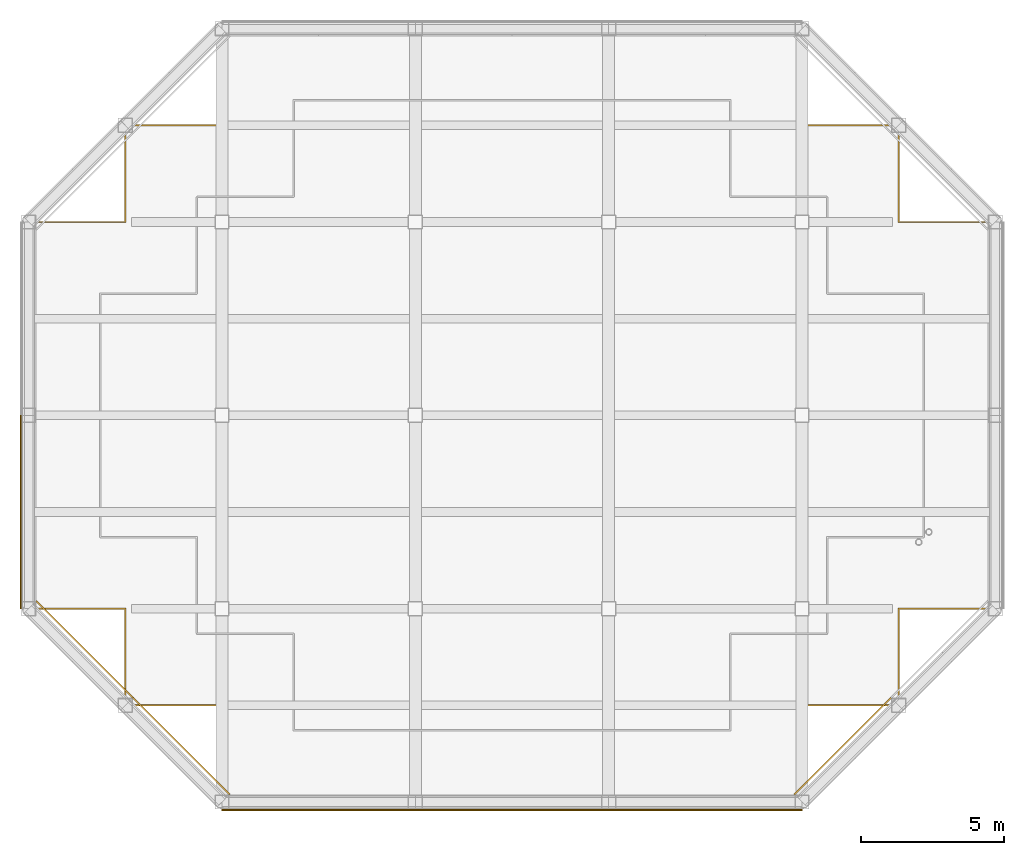
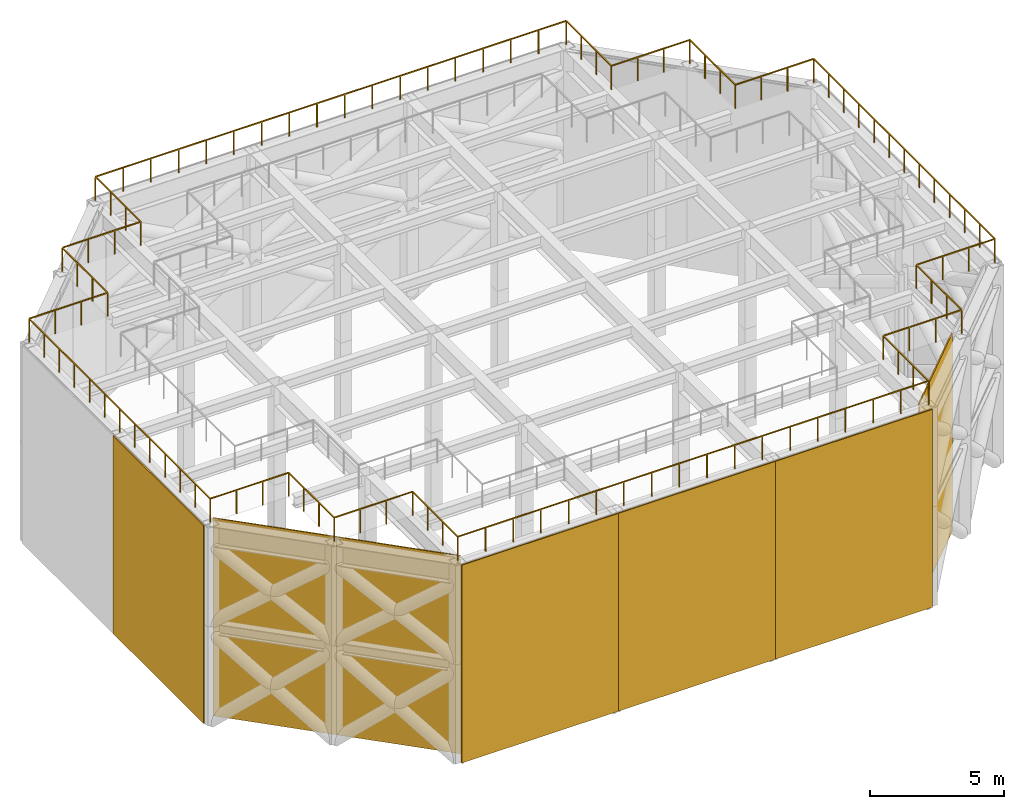
# One storey, part 4 of 5: 7 coverings, 1 railing.
"""IFC4 building model written with IfcOpenShell, lengths in metres."""

import ifcopenshell
import ifcopenshell.guid

model = None  # the IFC model being written
_history = None  # IfcOwnerHistory: only IFC2X3 demands one
_inside = {}  # id of a spatial element -> (the spatial element, [elements in it])
_under = {}  # id of a project, library or spatial element -> (it, [spatial elements below it])
_declared = {}  # id of a project -> (the project, [libraries it declares])
_typed = {}  # id of a type object -> (the type object, [elements of that type])
_made_of = {}  # id of a material, layer set ... -> (it, [elements and type objects made of it])


def new_model(schema):
    """Start an empty IFC model of exactly this schema.

    Asked for "IFC4X3", IfcOpenShell would pick the latest addendum, in which some entities
    have other attributes; the version numbers below select the first issue.
    IFC2X3 requires an IfcOwnerHistory on every rooted entity: one is made here for all.
    """
    global model, _history
    if schema == "IFC4X3":
        model = ifcopenshell.file(schema_version=(4, 3, 0, 0))
    else:
        model = ifcopenshell.file(schema=schema)
    _inside.clear()
    _under.clear()
    _declared.clear()
    _typed.clear()
    _made_of.clear()
    _history = None
    if model.schema == "IFC2X3":
        org = make("IfcOrganization", Name="unknown")
        user = make(
            "IfcPersonAndOrganization",
            ThePerson=make("IfcPerson", FamilyName="unknown"),
            TheOrganization=org,
        )
        app = make(
            "IfcApplication",
            ApplicationDeveloper=org,
            Version="unknown",
            ApplicationFullName="unknown",
            ApplicationIdentifier="unknown",
        )
        _history = make(
            "IfcOwnerHistory",
            OwningUser=user,
            OwningApplication=app,
            ChangeAction="ADDED",
            CreationDate=0,
        )
    return model


def make(cls, **values):
    """One entity of the class cls with the attributes given. An attribute that is None is left unset."""
    return model.create_entity(
        cls, **{name: value for name, value in values.items() if value is not None}
    )


def rooted(cls, **values):
    """An entity with a GlobalId (a new one), such as an element, a storey or a relation."""
    return make(cls, GlobalId=ifcopenshell.guid.new(), OwnerHistory=_history, **values)


def si_unit(unit_type, name, prefix=None):
    """IfcSIUnit, for example si_unit("LENGTHUNIT", "METRE", prefix="MILLI")."""
    return make("IfcSIUnit", UnitType=unit_type, Prefix=prefix, Name=name)


def assignment(units):
    """IfcUnitAssignment: the units of a project."""
    return None if units is None else make("IfcUnitAssignment", Units=units)


def point(xyz):
    """IfcCartesianPoint."""
    return None if xyz is None else make("IfcCartesianPoint", Coordinates=xyz)


def direction(xyz):
    """IfcDirection."""
    return None if xyz is None else make("IfcDirection", DirectionRatios=xyz)


def frame(location, z_axis=None, x_axis=None):
    """IfcAxis2Placement3D, a coordinate frame: its origin and axes. An axis left out is left unset."""
    return make(
        "IfcAxis2Placement3D",
        Location=point(location),
        Axis=direction(z_axis),
        RefDirection=direction(x_axis),
    )


def frame_2d(location, x_axis=None):
    """IfcAxis2Placement2D, a coordinate frame in the plane: its origin and x axis."""
    return make(
        "IfcAxis2Placement2D", Location=point(location), RefDirection=direction(x_axis)
    )


def origin():
    """The frame at (0, 0, 0) with its axes left unset."""
    return frame((0.0, 0.0, 0.0))


def origin_2d():
    """The frame at (0, 0) in the plane with its x axis left unset."""
    return frame_2d((0.0, 0.0))


def place(relative_to, where):
    """IfcLocalPlacement: puts the frame where relative to a parent placement (None: the world)."""
    return make(
        "IfcLocalPlacement", PlacementRelTo=relative_to, RelativePlacement=where
    )


def context(
    kind, dimensions, precision=None, world=None, true_north=None, identifier=None
):
    """IfcGeometricRepresentationContext, for example the 3D "Model" context."""
    return make(
        "IfcGeometricRepresentationContext",
        ContextIdentifier=identifier,
        ContextType=kind,
        CoordinateSpaceDimension=dimensions,
        Precision=precision,
        WorldCoordinateSystem=world,
        TrueNorth=true_north,
    )


def subcontext(parent, identifier, kind, view, scale=None):
    """IfcGeometricRepresentationSubContext, for example "Body" below "Model"."""
    return make(
        "IfcGeometricRepresentationSubContext",
        ContextIdentifier=identifier,
        ContextType=kind,
        ParentContext=parent,
        TargetScale=scale,
        TargetView=view,
    )


def project(units=None, contexts=None):
    """IfcProject with its units and contexts."""
    return rooted(
        "IfcProject",
        Name="project",
        RepresentationContexts=contexts,
        UnitsInContext=assignment(units),
    )


def spatial(cls, under=None, at=None, **own):
    """A site, building, storey or space (cls), placed at a placement, below another one or the project."""
    s = rooted(cls, ObjectPlacement=at, **own)
    if under is not None:
        _under.setdefault(under.id(), (under, []))[1].append(s)
    return s


def polyline(points):
    """IfcPolyline through the points."""
    return make("IfcPolyline", Points=[point(p) for p in points])


def profile(cls, at=None, kind="AREA", **sizes):
    """A parametric profile (cls). Its sizes go by their IFC names, for example OverallWidth=200.0."""
    return make(cls, ProfileType=kind, Position=at, **sizes)


def rectangle(**sizes):
    """IfcRectangleProfileDef."""
    return profile("IfcRectangleProfileDef", **sizes)


def outline(outer, holes=None, kind="AREA"):
    """IfcArbitraryClosedProfileDef: a profile drawn as a closed curve; with holes, ...WithVoids."""
    if holes is None:
        return make("IfcArbitraryClosedProfileDef", ProfileType=kind, OuterCurve=outer)
    return make(
        "IfcArbitraryProfileDefWithVoids",
        ProfileType=kind,
        OuterCurve=outer,
        InnerCurves=holes,
    )


def extrude(swept, where, along, depth):
    """IfcExtrudedAreaSolid: the profile swept, set in the frame where, extruded along a direction by depth."""
    return make(
        "IfcExtrudedAreaSolid",
        SweptArea=swept,
        Position=where,
        ExtrudedDirection=direction(along),
        Depth=depth,
    )


def shape(context_of_items, identifier, shape_type, items):
    """IfcShapeRepresentation: the items that make up one representation, for example the "Body"."""
    return make(
        "IfcShapeRepresentation",
        ContextOfItems=context_of_items,
        RepresentationIdentifier=identifier,
        RepresentationType=shape_type,
        Items=items,
    )


def material(Name=None, Category=None):
    """IfcMaterial."""
    return make("IfcMaterial", Name=Name, Category=Category)


def layer(
    of_material, thickness, ventilated=None, Name=None, Category=None, Priority=None
):
    """IfcMaterialLayer: one layer of a wall or slab, of a material (None: an air gap)."""
    return make(
        "IfcMaterialLayer",
        Material=of_material,
        LayerThickness=thickness,
        IsVentilated=ventilated,
        Name=Name,
        Category=Category,
        Priority=Priority,
    )


def layer_set(layers, Name=None):
    """IfcMaterialLayerSet."""
    return make("IfcMaterialLayerSet", MaterialLayers=layers, LayerSetName=Name)


def made_of(thing, what):
    """Note that an element or type object is made of a material, layer set ...; save() writes the relation."""
    if what is not None:
        _made_of.setdefault(what.id(), (what, []))[1].append(thing)
    return thing


def type_object(cls, material=None, **own):
    """A type object (cls), such as IfcWallType, which elements share."""
    return made_of(rooted(cls, **own), material)


def element(
    cls,
    number,
    at=None,
    inside=None,
    cuts=None,
    type_object=None,
    material=None,
    context=None,
    identifier="Body",
    shape_type=None,
    held_by="IfcProductDefinitionShape",
    body=None,
    shapes=None,
    **own,
):
    """One element of the class cls, such as IfcWall. Its Tag is "e" and its number.

    at: its placement. inside: the storey or other place that contains it. cuts: it is an
    opening in that element (IfcRelVoidsElement). A single representation is given by context,
    identifier, shape_type and body (its items); several are given by shapes. held_by: the class
    of the entity that holds the representations. save() writes the other relations.
    """
    e = rooted(cls, Tag="e%d" % number, ObjectPlacement=at, **own)
    if body is not None:
        shapes = [shape(context, identifier, shape_type, body)]
    if shapes is not None:
        e.Representation = make(held_by, Representations=shapes)
    if inside is not None:
        _inside.setdefault(inside.id(), (inside, []))[1].append(e)
    if cuts is not None:
        rooted(
            "IfcRelVoidsElement", RelatingBuildingElement=cuts, RelatedOpeningElement=e
        )
    if type_object is not None:
        _typed.setdefault(type_object.id(), (type_object, []))[1].append(e)
    return made_of(e, material)


def aggregate(whole, parts):
    """IfcRelAggregates: a whole, such as a stair, and the parts it consists of."""
    return rooted("IfcRelAggregates", RelatingObject=whole, RelatedObjects=parts)


def save(model, path):
    """Write the relations noted so far, then the file.

    IfcRelAggregates (storeys below a building ...), IfcRelContainedInSpatialStructure (elements
    in a storey), IfcRelDefinesByType, IfcRelAssociatesMaterial and IfcRelDeclares: one each for
    every whole, place, type object, material and project.
    """
    for whole, parts in _under.values():
        aggregate(whole, parts)
    for where, things in _inside.values():
        rooted(
            "IfcRelContainedInSpatialStructure",
            RelatedElements=things,
            RelatingStructure=where,
        )
    for kind, things in _typed.values():
        rooted("IfcRelDefinesByType", RelatedObjects=things, RelatingType=kind)
    for what, things in _made_of.values():
        rooted("IfcRelAssociatesMaterial", RelatedObjects=things, RelatingMaterial=what)
    for by, libraries in _declared.values():
        rooted("IfcRelDeclares", RelatingContext=by, RelatedDefinitions=libraries)
    model.write(path)


model = new_model("IFC4")

# Units and contexts
model_context = context("Model", 3, precision=1e-05, world=origin(), true_north=direction((0.0, 1.0)))
body_context = subcontext(model_context, "Body", "Model", "MODEL_VIEW")
ifc_project = project(units=[si_unit("LENGTHUNIT", "METRE"), si_unit("AREAUNIT", "SQUARE_METRE"), si_unit("VOLUMEUNIT", "CUBIC_METRE"), si_unit("PLANEANGLEUNIT", "RADIAN"), si_unit("MASSUNIT", "GRAM", prefix="KILO")], contexts=[model_context])

# Site, building, storey
site_placement = place(None, origin())
site = spatial("IfcSite", under=ifc_project, at=site_placement, CompositionType="ELEMENT")
building_placement = place(site_placement, origin())
building = spatial("IfcBuilding", under=site, at=building_placement, Name="Nyansa Garden Tower", CompositionType="ELEMENT")
storey_placement = place(building_placement, frame((0.0, 0.0, 259.199951171875)))
storey = spatial("IfcBuildingStorey", under=building, at=storey_placement, Name="L70", CompositionType="ELEMENT", Elevation=259.199951171875)

# Railing
ifc_material_1 = material(Name="Galvanised steel balustrade, 1.1 m", Category="steel")
railing_type = type_object("IfcRailingType", Name="Crown frame cap guard G5", PredefinedType="GUARDRAIL", material=ifc_material_1)
railing_placement = place(storey_placement, frame((33.75, 13.5, 9.0400390625)))
element("IfcRailing", 1, at=railing_placement, inside=storey, type_object=railing_type, Name="Crown frame cap guard outer", PredefinedType="GUARDRAIL", context=body_context, shape_type="SweptSolid", body=[
    extrude(rectangle(XDim=0.048095703125, YDim=0.048095703125, at=origin_2d()), frame((0.0, 0.0, 1.076171875), z_axis=(-1.0, 0.0, 0.0), x_axis=(0.0, -1.0, 0.0)), (0.0, 0.0, 1.0), 3.375),
    extrude(rectangle(XDim=0.048095703125, YDim=0.048095703125, at=origin_2d()), frame((-3.375, 0.0, 1.076171875), z_axis=(0.0, -1.0, 0.0), x_axis=(1.0, 0.0, 0.0)), (0.0, 0.0, 1.0), 3.375),
    extrude(rectangle(XDim=0.048095703125, YDim=0.048095703125, at=origin_2d()), frame((-3.375, -3.375, 1.076171875), z_axis=(-1.0, 0.0, 0.0), x_axis=(0.0, -1.0, 0.0)), (0.0, 0.0, 1.0), 3.375),
    extrude(rectangle(XDim=0.048095703125, YDim=0.048095703125, at=origin_2d()), frame((-6.75, -3.375, 1.076171875), z_axis=(0.0, -1.0, 0.0), x_axis=(1.0, 0.0, 0.0)), (0.0, 0.0, 1.0), 3.375),
    extrude(rectangle(XDim=0.048095703125, YDim=0.048095703125, at=origin_2d()), frame((-6.75, -6.75, 1.076171875), z_axis=(-1.0, 0.0, 0.0), x_axis=(0.0, -1.0, 0.0)), (0.0, 0.0, 1.0), 20.25),
    extrude(rectangle(XDim=0.048095703125, YDim=0.048095703125, at=origin_2d()), frame((-27.0, -6.75, 1.076171875), z_axis=(0.0, 1.0, 0.0), x_axis=(-1.0, 0.0, 0.0)), (0.0, 0.0, 1.0), 3.375),
    extrude(rectangle(XDim=0.048095703125, YDim=0.048095703125, at=origin_2d()), frame((-27.0, -3.375, 1.076171875), z_axis=(-1.0, 0.0, 0.0), x_axis=(0.0, -1.0, 0.0)), (0.0, 0.0, 1.0), 3.375),
    extrude(rectangle(XDim=0.048095703125, YDim=0.048095703125, at=origin_2d()), frame((-30.375, -3.375, 1.076171875), z_axis=(0.0, 1.0, 0.0), x_axis=(-1.0, 0.0, 0.0)), (0.0, 0.0, 1.0), 3.375),
    extrude(rectangle(XDim=0.048095703125, YDim=0.048095703125, at=origin_2d()), frame((-30.375, 0.0, 1.076171875), z_axis=(-1.0, 0.0, 0.0), x_axis=(0.0, -1.0, 0.0)), (0.0, 0.0, 1.0), 3.375),
    extrude(rectangle(XDim=0.048095703125, YDim=0.048095703125, at=origin_2d()), frame((-33.75, 0.0, 1.076171875), z_axis=(0.0, 1.0, 0.0), x_axis=(-1.0, 0.0, 0.0)), (0.0, 0.0, 1.0), 13.5),
    extrude(rectangle(XDim=0.048095703125, YDim=0.048095703125, at=origin_2d()), frame((-33.75, 13.5, 1.076171875), z_axis=(1.0, 0.0, 0.0), x_axis=(0.0, 1.0, 0.0)), (0.0, 0.0, 1.0), 3.375),
    extrude(rectangle(XDim=0.048095703125, YDim=0.048095703125, at=origin_2d()), frame((-30.375, 13.5, 1.076171875), z_axis=(0.0, 1.0, 0.0), x_axis=(-1.0, 0.0, 0.0)), (0.0, 0.0, 1.0), 3.375),
    extrude(rectangle(XDim=0.048095703125, YDim=0.048095703125, at=origin_2d()), frame((-30.375, 16.875, 1.076171875), z_axis=(1.0, 0.0, 0.0), x_axis=(0.0, 1.0, 0.0)), (0.0, 0.0, 1.0), 3.375),
    extrude(rectangle(XDim=0.048095703125, YDim=0.048095703125, at=origin_2d()), frame((-27.0, 16.875, 1.076171875), z_axis=(0.0, 1.0, 0.0), x_axis=(-1.0, 0.0, 0.0)), (0.0, 0.0, 1.0), 3.375),
    extrude(rectangle(XDim=0.048095703125, YDim=0.048095703125, at=origin_2d()), frame((-27.0, 20.25, 1.076171875), z_axis=(1.0, 0.0, 0.0), x_axis=(0.0, 1.0, 0.0)), (0.0, 0.0, 1.0), 20.25),
    extrude(rectangle(XDim=0.048095703125, YDim=0.048095703125, at=origin_2d()), frame((-6.75, 20.25, 1.076171875), z_axis=(0.0, -1.0, 0.0), x_axis=(1.0, 0.0, 0.0)), (0.0, 0.0, 1.0), 3.375),
    extrude(rectangle(XDim=0.048095703125, YDim=0.048095703125, at=origin_2d()), frame((-6.75, 16.875, 1.076171875), z_axis=(1.0, 0.0, 0.0), x_axis=(0.0, 1.0, 0.0)), (0.0, 0.0, 1.0), 3.375),
    extrude(rectangle(XDim=0.048095703125, YDim=0.048095703125, at=origin_2d()), frame((-3.375, 16.875, 1.076171875), z_axis=(0.0, -1.0, 0.0), x_axis=(1.0, 0.0, 0.0)), (0.0, 0.0, 1.0), 3.375),
    extrude(rectangle(XDim=0.048095703125, YDim=0.048095703125, at=origin_2d()), frame((-3.375, 13.5, 1.076171875), z_axis=(1.0, 0.0, 0.0), x_axis=(0.0, 1.0, 0.0)), (0.0, 0.0, 1.0), 3.375),
    extrude(rectangle(XDim=0.048095703125, YDim=0.048095703125, at=origin_2d()), frame((0.0, 13.5, 1.076171875), z_axis=(0.0, -1.0, 0.0), x_axis=(1.0, 0.0, 0.0)), (0.0, 0.0, 1.0), 13.5),
    extrude(rectangle(XDim=0.0419921875, YDim=0.0419921875, at=origin_2d()), origin(), (0.0, 0.0, 1.0), 1.052001953125),
    extrude(rectangle(XDim=0.0419921875, YDim=0.0419921875, at=origin_2d()), frame((-1.125, 0.0, 0.0)), (0.0, 0.0, 1.0), 1.052001953125),
    extrude(rectangle(XDim=0.0419921875, YDim=0.0419921875, at=origin_2d()), frame((-2.25, 0.0, 0.0)), (0.0, 0.0, 1.0), 1.052001953125),
    extrude(rectangle(XDim=0.0419921875, YDim=0.0419921875, at=origin_2d()), frame((-3.375, 0.0, 0.0)), (0.0, 0.0, 1.0), 1.052001953125),
    extrude(rectangle(XDim=0.0419921875, YDim=0.0419921875, at=origin_2d()), frame((-3.375, -1.125, 0.0)), (0.0, 0.0, 1.0), 1.052001953125),
    extrude(rectangle(XDim=0.0419921875, YDim=0.0419921875, at=origin_2d()), frame((-3.375, -2.25, 0.0)), (0.0, 0.0, 1.0), 1.052001953125),
    extrude(rectangle(XDim=0.0419921875, YDim=0.0419921875, at=origin_2d()), frame((-3.375, -3.375, 0.0)), (0.0, 0.0, 1.0), 1.052001953125),
    extrude(rectangle(XDim=0.0419921875, YDim=0.0419921875, at=origin_2d()), frame((-4.5, -3.375, 0.0)), (0.0, 0.0, 1.0), 1.052001953125),
    extrude(rectangle(XDim=0.0419921875, YDim=0.0419921875, at=origin_2d()), frame((-5.625, -3.375, 0.0)), (0.0, 0.0, 1.0), 1.052001953125),
    extrude(rectangle(XDim=0.0419921875, YDim=0.0419921875, at=origin_2d()), frame((-6.75, -3.375, 0.0)), (0.0, 0.0, 1.0), 1.052001953125),
    extrude(rectangle(XDim=0.0419921875, YDim=0.0419921875, at=origin_2d()), frame((-6.75, -4.5, 0.0)), (0.0, 0.0, 1.0), 1.052001953125),
    extrude(rectangle(XDim=0.0419921875, YDim=0.0419921875, at=origin_2d()), frame((-6.75, -5.625, 0.0)), (0.0, 0.0, 1.0), 1.052001953125),
    extrude(rectangle(XDim=0.0419921875, YDim=0.0419921875, at=origin_2d()), frame((-6.75, -6.75, 0.0)), (0.0, 0.0, 1.0), 1.052001953125),
    extrude(rectangle(XDim=0.0419921875, YDim=0.0419921875, at=origin_2d()), frame((-7.941162109375, -6.75, 0.0)), (0.0, 0.0, 1.0), 1.052001953125),
    extrude(rectangle(XDim=0.0419921875, YDim=0.0419921875, at=origin_2d()), frame((-9.13232421875, -6.75, 0.0)), (0.0, 0.0, 1.0), 1.052001953125),
    extrude(rectangle(XDim=0.0419921875, YDim=0.0419921875, at=origin_2d()), frame((-10.323486328125, -6.75, 0.0)), (0.0, 0.0, 1.0), 1.052001953125),
    extrude(rectangle(XDim=0.0419921875, YDim=0.0419921875, at=origin_2d()), frame((-11.5146484375, -6.75, 0.0)), (0.0, 0.0, 1.0), 1.052001953125),
    extrude(rectangle(XDim=0.0419921875, YDim=0.0419921875, at=origin_2d()), frame((-12.705810546875, -6.75, 0.0)), (0.0, 0.0, 1.0), 1.052001953125),
    extrude(rectangle(XDim=0.0419921875, YDim=0.0419921875, at=origin_2d()), frame((-13.89697265625, -6.75, 0.0)), (0.0, 0.0, 1.0), 1.052001953125),
    extrude(rectangle(XDim=0.0419921875, YDim=0.0419921875, at=origin_2d()), frame((-15.088134765625, -6.75, 0.0)), (0.0, 0.0, 1.0), 1.052001953125),
    extrude(rectangle(XDim=0.0419921875, YDim=0.0419921875, at=origin_2d()), frame((-16.279296875, -6.75, 0.0)), (0.0, 0.0, 1.0), 1.052001953125),
    extrude(rectangle(XDim=0.0419921875, YDim=0.0419921875, at=origin_2d()), frame((-17.470703125, -6.75, 0.0)), (0.0, 0.0, 1.0), 1.052001953125),
    extrude(rectangle(XDim=0.0419921875, YDim=0.0419921875, at=origin_2d()), frame((-18.661865234375, -6.75, 0.0)), (0.0, 0.0, 1.0), 1.052001953125),
    extrude(rectangle(XDim=0.0419921875, YDim=0.0419921875, at=origin_2d()), frame((-19.85302734375, -6.75, 0.0)), (0.0, 0.0, 1.0), 1.052001953125),
    extrude(rectangle(XDim=0.0419921875, YDim=0.0419921875, at=origin_2d()), frame((-21.044189453125, -6.75, 0.0)), (0.0, 0.0, 1.0), 1.052001953125),
    extrude(rectangle(XDim=0.0419921875, YDim=0.0419921875, at=origin_2d()), frame((-22.2353515625, -6.75, 0.0)), (0.0, 0.0, 1.0), 1.052001953125),
    extrude(rectangle(XDim=0.0419921875, YDim=0.0419921875, at=origin_2d()), frame((-23.426513671875, -6.75, 0.0)), (0.0, 0.0, 1.0), 1.052001953125),
    extrude(rectangle(XDim=0.0419921875, YDim=0.0419921875, at=origin_2d()), frame((-24.61767578125, -6.75, 0.0)), (0.0, 0.0, 1.0), 1.052001953125),
    extrude(rectangle(XDim=0.0419921875, YDim=0.0419921875, at=origin_2d()), frame((-25.808837890625, -6.75, 0.0)), (0.0, 0.0, 1.0), 1.052001953125),
    extrude(rectangle(XDim=0.0419921875, YDim=0.0419921875, at=origin_2d()), frame((-27.0, -6.75, 0.0)), (0.0, 0.0, 1.0), 1.052001953125),
    extrude(rectangle(XDim=0.0419921875, YDim=0.0419921875, at=origin_2d()), frame((-27.0, -5.625, 0.0)), (0.0, 0.0, 1.0), 1.052001953125),
    extrude(rectangle(XDim=0.0419921875, YDim=0.0419921875, at=origin_2d()), frame((-27.0, -4.5, 0.0)), (0.0, 0.0, 1.0), 1.052001953125),
    extrude(rectangle(XDim=0.0419921875, YDim=0.0419921875, at=origin_2d()), frame((-27.0, -3.375, 0.0)), (0.0, 0.0, 1.0), 1.052001953125),
    extrude(rectangle(XDim=0.0419921875, YDim=0.0419921875, at=origin_2d()), frame((-28.125, -3.375, 0.0)), (0.0, 0.0, 1.0), 1.052001953125),
    extrude(rectangle(XDim=0.0419921875, YDim=0.0419921875, at=origin_2d()), frame((-29.25, -3.375, 0.0)), (0.0, 0.0, 1.0), 1.052001953125),
    extrude(rectangle(XDim=0.0419921875, YDim=0.0419921875, at=origin_2d()), frame((-30.375, -3.375, 0.0)), (0.0, 0.0, 1.0), 1.052001953125),
    extrude(rectangle(XDim=0.0419921875, YDim=0.0419921875, at=origin_2d()), frame((-30.375, -2.25, 0.0)), (0.0, 0.0, 1.0), 1.052001953125),
    extrude(rectangle(XDim=0.0419921875, YDim=0.0419921875, at=origin_2d()), frame((-30.375, -1.125, 0.0)), (0.0, 0.0, 1.0), 1.052001953125),
    extrude(rectangle(XDim=0.0419921875, YDim=0.0419921875, at=origin_2d()), frame((-30.375, 0.0, 0.0)), (0.0, 0.0, 1.0), 1.052001953125),
    extrude(rectangle(XDim=0.0419921875, YDim=0.0419921875, at=origin_2d()), frame((-31.5, 0.0, 0.0)), (0.0, 0.0, 1.0), 1.052001953125),
    extrude(rectangle(XDim=0.0419921875, YDim=0.0419921875, at=origin_2d()), frame((-32.625, 0.0, 0.0)), (0.0, 0.0, 1.0), 1.052001953125),
    extrude(rectangle(XDim=0.0419921875, YDim=0.0419921875, at=origin_2d()), frame((-33.75, 0.0, 0.0)), (0.0, 0.0, 1.0), 1.052001953125),
    extrude(rectangle(XDim=0.0419921875, YDim=0.0419921875, at=origin_2d()), frame((-33.75, 1.125, 0.0)), (0.0, 0.0, 1.0), 1.052001953125),
    extrude(rectangle(XDim=0.0419921875, YDim=0.0419921875, at=origin_2d()), frame((-33.75, 2.25, 0.0)), (0.0, 0.0, 1.0), 1.052001953125),
    extrude(rectangle(XDim=0.0419921875, YDim=0.0419921875, at=origin_2d()), frame((-33.75, 3.375, 0.0)), (0.0, 0.0, 1.0), 1.052001953125),
    extrude(rectangle(XDim=0.0419921875, YDim=0.0419921875, at=origin_2d()), frame((-33.75, 4.5, 0.0)), (0.0, 0.0, 1.0), 1.052001953125),
    extrude(rectangle(XDim=0.0419921875, YDim=0.0419921875, at=origin_2d()), frame((-33.75, 5.625, 0.0)), (0.0, 0.0, 1.0), 1.052001953125),
    extrude(rectangle(XDim=0.0419921875, YDim=0.0419921875, at=origin_2d()), frame((-33.75, 6.75, 0.0)), (0.0, 0.0, 1.0), 1.052001953125),
    extrude(rectangle(XDim=0.0419921875, YDim=0.0419921875, at=origin_2d()), frame((-33.75, 7.875, 0.0)), (0.0, 0.0, 1.0), 1.052001953125),
    extrude(rectangle(XDim=0.0419921875, YDim=0.0419921875, at=origin_2d()), frame((-33.75, 9.0, 0.0)), (0.0, 0.0, 1.0), 1.052001953125),
    extrude(rectangle(XDim=0.0419921875, YDim=0.0419921875, at=origin_2d()), frame((-33.75, 10.125, 0.0)), (0.0, 0.0, 1.0), 1.052001953125),
    extrude(rectangle(XDim=0.0419921875, YDim=0.0419921875, at=origin_2d()), frame((-33.75, 11.25, 0.0)), (0.0, 0.0, 1.0), 1.052001953125),
    extrude(rectangle(XDim=0.0419921875, YDim=0.0419921875, at=origin_2d()), frame((-33.75, 12.375, 0.0)), (0.0, 0.0, 1.0), 1.052001953125),
    extrude(rectangle(XDim=0.0419921875, YDim=0.0419921875, at=origin_2d()), frame((-33.75, 13.5, 0.0)), (0.0, 0.0, 1.0), 1.052001953125),
    extrude(rectangle(XDim=0.0419921875, YDim=0.0419921875, at=origin_2d()), frame((-32.625, 13.5, 0.0)), (0.0, 0.0, 1.0), 1.052001953125),
    extrude(rectangle(XDim=0.0419921875, YDim=0.0419921875, at=origin_2d()), frame((-31.5, 13.5, 0.0)), (0.0, 0.0, 1.0), 1.052001953125),
    extrude(rectangle(XDim=0.0419921875, YDim=0.0419921875, at=origin_2d()), frame((-30.375, 13.5, 0.0)), (0.0, 0.0, 1.0), 1.052001953125),
    extrude(rectangle(XDim=0.0419921875, YDim=0.0419921875, at=origin_2d()), frame((-30.375, 14.625, 0.0)), (0.0, 0.0, 1.0), 1.052001953125),
    extrude(rectangle(XDim=0.0419921875, YDim=0.0419921875, at=origin_2d()), frame((-30.375, 15.75, 0.0)), (0.0, 0.0, 1.0), 1.052001953125),
    extrude(rectangle(XDim=0.0419921875, YDim=0.0419921875, at=origin_2d()), frame((-30.375, 16.875, 0.0)), (0.0, 0.0, 1.0), 1.052001953125),
    extrude(rectangle(XDim=0.0419921875, YDim=0.0419921875, at=origin_2d()), frame((-29.25, 16.875, 0.0)), (0.0, 0.0, 1.0), 1.052001953125),
    extrude(rectangle(XDim=0.0419921875, YDim=0.0419921875, at=origin_2d()), frame((-28.125, 16.875, 0.0)), (0.0, 0.0, 1.0), 1.052001953125),
    extrude(rectangle(XDim=0.0419921875, YDim=0.0419921875, at=origin_2d()), frame((-27.0, 16.875, 0.0)), (0.0, 0.0, 1.0), 1.052001953125),
    extrude(rectangle(XDim=0.0419921875, YDim=0.0419921875, at=origin_2d()), frame((-27.0, 18.0, 0.0)), (0.0, 0.0, 1.0), 1.052001953125),
    extrude(rectangle(XDim=0.0419921875, YDim=0.0419921875, at=origin_2d()), frame((-27.0, 19.125, 0.0)), (0.0, 0.0, 1.0), 1.052001953125),
    extrude(rectangle(XDim=0.0419921875, YDim=0.0419921875, at=origin_2d()), frame((-27.0, 20.25, 0.0)), (0.0, 0.0, 1.0), 1.052001953125),
    extrude(rectangle(XDim=0.0419921875, YDim=0.0419921875, at=origin_2d()), frame((-25.808837890625, 20.25, 0.0)), (0.0, 0.0, 1.0), 1.052001953125),
    extrude(rectangle(XDim=0.0419921875, YDim=0.0419921875, at=origin_2d()), frame((-24.61767578125, 20.25, 0.0)), (0.0, 0.0, 1.0), 1.052001953125),
    extrude(rectangle(XDim=0.0419921875, YDim=0.0419921875, at=origin_2d()), frame((-23.426513671875, 20.25, 0.0)), (0.0, 0.0, 1.0), 1.052001953125),
    extrude(rectangle(XDim=0.0419921875, YDim=0.0419921875, at=origin_2d()), frame((-22.2353515625, 20.25, 0.0)), (0.0, 0.0, 1.0), 1.052001953125),
    extrude(rectangle(XDim=0.0419921875, YDim=0.0419921875, at=origin_2d()), frame((-21.044189453125, 20.25, 0.0)), (0.0, 0.0, 1.0), 1.052001953125),
    extrude(rectangle(XDim=0.0419921875, YDim=0.0419921875, at=origin_2d()), frame((-19.85302734375, 20.25, 0.0)), (0.0, 0.0, 1.0), 1.052001953125),
    extrude(rectangle(XDim=0.0419921875, YDim=0.0419921875, at=origin_2d()), frame((-18.661865234375, 20.25, 0.0)), (0.0, 0.0, 1.0), 1.052001953125),
    extrude(rectangle(XDim=0.0419921875, YDim=0.0419921875, at=origin_2d()), frame((-17.470703125, 20.25, 0.0)), (0.0, 0.0, 1.0), 1.052001953125),
    extrude(rectangle(XDim=0.0419921875, YDim=0.0419921875, at=origin_2d()), frame((-16.279296875, 20.25, 0.0)), (0.0, 0.0, 1.0), 1.052001953125),
    extrude(rectangle(XDim=0.0419921875, YDim=0.0419921875, at=origin_2d()), frame((-15.088134765625, 20.25, 0.0)), (0.0, 0.0, 1.0), 1.052001953125),
    extrude(rectangle(XDim=0.0419921875, YDim=0.0419921875, at=origin_2d()), frame((-13.89697265625, 20.25, 0.0)), (0.0, 0.0, 1.0), 1.052001953125),
    extrude(rectangle(XDim=0.0419921875, YDim=0.0419921875, at=origin_2d()), frame((-12.705810546875, 20.25, 0.0)), (0.0, 0.0, 1.0), 1.052001953125),
    extrude(rectangle(XDim=0.0419921875, YDim=0.0419921875, at=origin_2d()), frame((-11.5146484375, 20.25, 0.0)), (0.0, 0.0, 1.0), 1.052001953125),
    extrude(rectangle(XDim=0.0419921875, YDim=0.0419921875, at=origin_2d()), frame((-10.323486328125, 20.25, 0.0)), (0.0, 0.0, 1.0), 1.052001953125),
    extrude(rectangle(XDim=0.0419921875, YDim=0.0419921875, at=origin_2d()), frame((-9.13232421875, 20.25, 0.0)), (0.0, 0.0, 1.0), 1.052001953125),
    extrude(rectangle(XDim=0.0419921875, YDim=0.0419921875, at=origin_2d()), frame((-7.941162109375, 20.25, 0.0)), (0.0, 0.0, 1.0), 1.052001953125),
    extrude(rectangle(XDim=0.0419921875, YDim=0.0419921875, at=origin_2d()), frame((-6.75, 20.25, 0.0)), (0.0, 0.0, 1.0), 1.052001953125),
    extrude(rectangle(XDim=0.0419921875, YDim=0.0419921875, at=origin_2d()), frame((-6.75, 19.125, 0.0)), (0.0, 0.0, 1.0), 1.052001953125),
    extrude(rectangle(XDim=0.0419921875, YDim=0.0419921875, at=origin_2d()), frame((-6.75, 18.0, 0.0)), (0.0, 0.0, 1.0), 1.052001953125),
    extrude(rectangle(XDim=0.0419921875, YDim=0.0419921875, at=origin_2d()), frame((-6.75, 16.875, 0.0)), (0.0, 0.0, 1.0), 1.052001953125),
    extrude(rectangle(XDim=0.0419921875, YDim=0.0419921875, at=origin_2d()), frame((-5.625, 16.875, 0.0)), (0.0, 0.0, 1.0), 1.052001953125),
    extrude(rectangle(XDim=0.0419921875, YDim=0.0419921875, at=origin_2d()), frame((-4.5, 16.875, 0.0)), (0.0, 0.0, 1.0), 1.052001953125),
    extrude(rectangle(XDim=0.0419921875, YDim=0.0419921875, at=origin_2d()), frame((-3.375, 16.875, 0.0)), (0.0, 0.0, 1.0), 1.052001953125),
    extrude(rectangle(XDim=0.0419921875, YDim=0.0419921875, at=origin_2d()), frame((-3.375, 15.75, 0.0)), (0.0, 0.0, 1.0), 1.052001953125),
    extrude(rectangle(XDim=0.0419921875, YDim=0.0419921875, at=origin_2d()), frame((-3.375, 14.625, 0.0)), (0.0, 0.0, 1.0), 1.052001953125),
    extrude(rectangle(XDim=0.0419921875, YDim=0.0419921875, at=origin_2d()), frame((-3.375, 13.5, 0.0)), (0.0, 0.0, 1.0), 1.052001953125),
    extrude(rectangle(XDim=0.0419921875, YDim=0.0419921875, at=origin_2d()), frame((-2.25, 13.5, 0.0)), (0.0, 0.0, 1.0), 1.052001953125),
    extrude(rectangle(XDim=0.0419921875, YDim=0.0419921875, at=origin_2d()), frame((-1.125, 13.5, 0.0)), (0.0, 0.0, 1.0), 1.052001953125),
    extrude(rectangle(XDim=0.0419921875, YDim=0.0419921875, at=origin_2d()), frame((0.0, 13.5, 0.0)), (0.0, 0.0, 1.0), 1.052001953125),
    extrude(rectangle(XDim=0.0419921875, YDim=0.0419921875, at=origin_2d()), frame((0.0, 12.375, 0.0)), (0.0, 0.0, 1.0), 1.052001953125),
    extrude(rectangle(XDim=0.0419921875, YDim=0.0419921875, at=origin_2d()), frame((0.0, 11.25, 0.0)), (0.0, 0.0, 1.0), 1.052001953125),
    extrude(rectangle(XDim=0.0419921875, YDim=0.0419921875, at=origin_2d()), frame((0.0, 10.125, 0.0)), (0.0, 0.0, 1.0), 1.052001953125),
    extrude(rectangle(XDim=0.0419921875, YDim=0.0419921875, at=origin_2d()), frame((0.0, 9.0, 0.0)), (0.0, 0.0, 1.0), 1.052001953125),
    extrude(rectangle(XDim=0.0419921875, YDim=0.0419921875, at=origin_2d()), frame((0.0, 7.875, 0.0)), (0.0, 0.0, 1.0), 1.052001953125),
    extrude(rectangle(XDim=0.0419921875, YDim=0.0419921875, at=origin_2d()), frame((0.0, 6.75, 0.0)), (0.0, 0.0, 1.0), 1.052001953125),
    extrude(rectangle(XDim=0.0419921875, YDim=0.0419921875, at=origin_2d()), frame((0.0, 5.625, 0.0)), (0.0, 0.0, 1.0), 1.052001953125),
    extrude(rectangle(XDim=0.0419921875, YDim=0.0419921875, at=origin_2d()), frame((0.0, 4.5, 0.0)), (0.0, 0.0, 1.0), 1.052001953125),
    extrude(rectangle(XDim=0.0419921875, YDim=0.0419921875, at=origin_2d()), frame((0.0, 3.375, 0.0)), (0.0, 0.0, 1.0), 1.052001953125),
    extrude(rectangle(XDim=0.0419921875, YDim=0.0419921875, at=origin_2d()), frame((0.0, 2.25, 0.0)), (0.0, 0.0, 1.0), 1.052001953125),
    extrude(rectangle(XDim=0.0419921875, YDim=0.0419921875, at=origin_2d()), frame((0.0, 1.125, 0.0)), (0.0, 0.0, 1.0), 1.052001953125),
])

# Coverings
ifc_material_2 = material(Name="Black powder-coated aluminium 6063-T6 perforated screen", Category="aluminium")
ifc_layer = layer(ifc_material_2, 0.050048828125)
ifc_layer_set = layer_set([ifc_layer], Name="Crown frame screen panel CS50")
covering_type = type_object("IfcCoveringType", Name="Crown frame screen panel CS50", PredefinedType="CLADDING", material=ifc_layer_set)
covering_1_placement = place(storey_placement, origin())
element("IfcCovering", 2, at=covering_1_placement, inside=storey, type_object=covering_type, Name="Crown frame screen panel 2", PredefinedType="CLADDING", context=body_context, shape_type="SweptSolid", body=[
    extrude(outline(polyline([(30.089599609375, 10.410400390625), (26.714599609375, 7.035400390625), (26.75, 7.0), (30.125, 10.375), (30.089599609375, 10.410400390625)])), origin(), (0.0, 0.0, 1.0), 9.0),
])
covering_2_placement = place(storey_placement, origin())
element("IfcCovering", 3, at=covering_2_placement, inside=storey, type_object=covering_type, Name="Crown frame screen panel 3", PredefinedType="CLADDING", context=body_context, shape_type="SweptSolid", body=[
    extrude(outline(polyline([(27.0, 6.5), (20.25, 6.5), (20.25, 6.449951171875), (27.0, 6.449951171875), (27.0, 6.5)])), origin(), (0.0, 0.0, 1.0), 9.0),
])
covering_3_placement = place(storey_placement, origin())
element("IfcCovering", 4, at=covering_3_placement, inside=storey, type_object=covering_type, Name="Crown frame screen panel 4", PredefinedType="CLADDING", context=body_context, shape_type="SweptSolid", body=[
    extrude(outline(polyline([(20.25, 6.5), (13.5, 6.5), (13.5, 6.449951171875), (20.25, 6.449951171875), (20.25, 6.5)])), origin(), (0.0, 0.0, 1.0), 9.0),
])
covering_4_placement = place(storey_placement, origin())
element("IfcCovering", 5, at=covering_4_placement, inside=storey, type_object=covering_type, Name="Crown frame screen panel 5", PredefinedType="CLADDING", context=body_context, shape_type="SweptSolid", body=[
    extrude(outline(polyline([(13.5, 6.5), (6.75, 6.5), (6.75, 6.449951171875), (13.5, 6.449951171875), (13.5, 6.5)])), origin(), (0.0, 0.0, 1.0), 9.0),
])
covering_5_placement = place(storey_placement, origin())
element("IfcCovering", 6, at=covering_5_placement, inside=storey, type_object=covering_type, Name="Crown frame screen panel 6", PredefinedType="CLADDING", context=body_context, shape_type="SweptSolid", body=[
    extrude(outline(polyline([(7.035400390625, 7.035400390625), (3.660400390625, 10.410400390625), (3.625, 10.375), (7.0, 7.0), (7.035400390625, 7.035400390625)])), origin(), (0.0, 0.0, 1.0), 9.0),
])
covering_6_placement = place(storey_placement, origin())
element("IfcCovering", 7, at=covering_6_placement, inside=storey, type_object=covering_type, Name="Crown frame screen panel 7", PredefinedType="CLADDING", context=body_context, shape_type="SweptSolid", body=[
    extrude(outline(polyline([(3.660400390625, 10.410400390625), (0.285400390625, 13.785400390625), (0.25, 13.75), (3.625, 10.375), (3.660400390625, 10.410400390625)])), origin(), (0.0, 0.0, 1.0), 9.0),
])
covering_7_placement = place(storey_placement, origin())
element("IfcCovering", 8, at=covering_7_placement, inside=storey, type_object=covering_type, Name="Crown frame screen panel 8", PredefinedType="CLADDING", context=body_context, shape_type="SweptSolid", body=[
    extrude(outline(polyline([(-0.25, 13.5), (-0.25, 20.25), (-0.300048828125, 20.25), (-0.300048828125, 13.5), (-0.25, 13.5)])), origin(), (0.0, 0.0, 1.0), 9.0),
])

save(model, "model.ifc")
